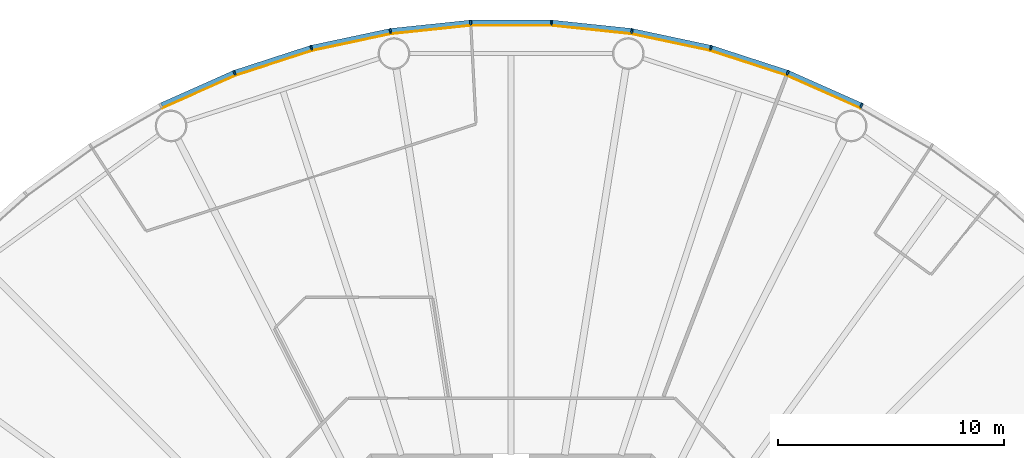
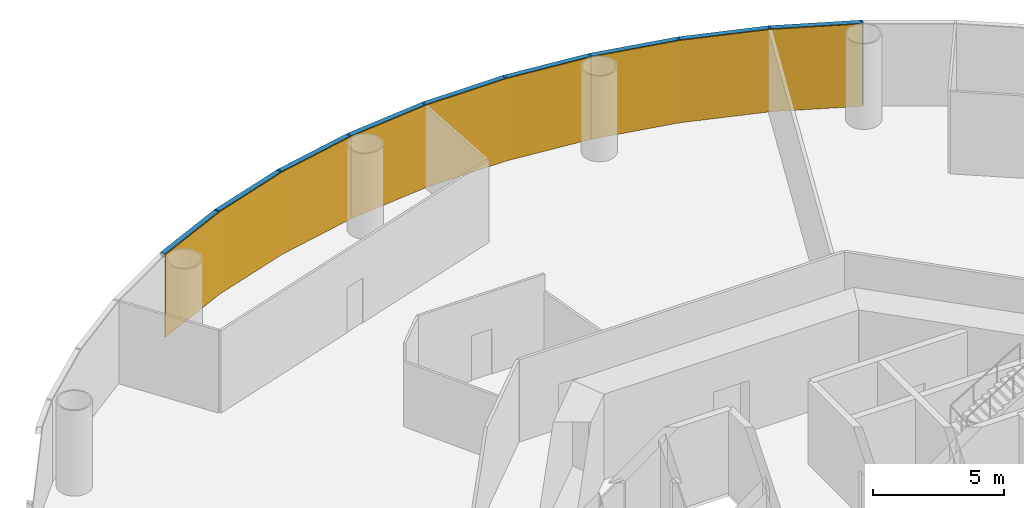
# One storey, part 12 of 13: 18 members, 3 curtain walls.
"""IFC4 building model written with IfcOpenShell, lengths in metres."""

from ifc_helpers import new_model, si_unit, direction, frame, origin, origin_2d, place, context, subcontext, project, spatial, polyline, rectangle, outline, extrude, material, layer, layer_set, material_profile, profile_set, type_object, element, aggregate, save


model = new_model("IFC4")

# Units and contexts
model_context = context("Model", 3, precision=1e-05, world=origin(), true_north=direction((0.0, 1.0)))
body_context = subcontext(model_context, "Body", "Model", "MODEL_VIEW")
ifc_project = project(units=[si_unit("LENGTHUNIT", "METRE"), si_unit("AREAUNIT", "SQUARE_METRE"), si_unit("VOLUMEUNIT", "CUBIC_METRE"), si_unit("PLANEANGLEUNIT", "RADIAN"), si_unit("MASSUNIT", "GRAM", prefix="KILO")], contexts=[model_context])

# Member
ifc_material_1 = material(Name="Anodised aluminium", Category="aluminium")
ifc_material_profile_1 = material_profile(ifc_material_1, rectangle(XDim=0.074951171875, YDim=0.219970703125, at=origin_2d()), Name="Mullion 75 x 220 mm anodised aluminium")
ifc_profile_set_1 = profile_set([ifc_material_profile_1], Name="Anodised aluminium")
member_type_1 = type_object("IfcMemberType", Name="Mullion 75 x 220 mm anodised aluminium", PredefinedType="MULLION", material=ifc_profile_set_1)
site_placement = place(None, origin())
building_placement = place(site_placement, origin())
storey_placement = place(building_placement, frame((0.0, 0.0, 26.0)))
member_1_placement = place(storey_placement, frame((105.485595703125, 110.392333984375, 0.0), z_axis=(0.0, 0.0, 1.0), x_axis=(-0.891006524188, 0.45399049974, 0.0)))
member_1 = element("IfcMember", 1, at=member_1_placement, type_object=member_type_1, Name="MULLION L04-09", PredefinedType="MULLION", context=body_context, shape_type="SweptSolid", body=[
    extrude(rectangle(XDim=0.074951171875, YDim=0.219970703125, at=origin_2d()), origin(), (0.0, 0.0, 1.0), 3.85009765625),
])

member_2_placement = place(storey_placement, frame((102.223876953125, 111.844482421875, 0.0), z_axis=(0.0, 0.0, 1.0), x_axis=(-0.933580426497, 0.358367949545, 0.0)))
member_2 = element("IfcMember", 2, at=member_2_placement, type_object=member_type_1, Name="MULLION L04-10", PredefinedType="MULLION", context=body_context, shape_type="SweptSolid", body=[
    extrude(rectangle(XDim=0.074951171875, YDim=0.219970703125, at=origin_2d()), origin(), (0.0, 0.0, 1.0), 3.85009765625),
])

member_3_placement = place(storey_placement, frame((98.828369140625, 112.94775390625, 0.0), z_axis=(0.0, 0.0, 1.0), x_axis=(-0.965925826289, 0.258819045103, 0.0)))
member_3 = element("IfcMember", 3, at=member_3_placement, type_object=member_type_1, Name="MULLION L04-11", PredefinedType="MULLION", context=body_context, shape_type="SweptSolid", body=[
    extrude(rectangle(XDim=0.074951171875, YDim=0.219970703125, at=origin_2d()), origin(), (0.0, 0.0, 1.0), 3.85009765625),
])

member_4_placement = place(storey_placement, frame((95.3359375, 113.68994140625, 0.0), z_axis=(0.0, 0.0, 1.0), x_axis=(-0.987688340595, 0.15643446504, 0.0)))
member_4 = element("IfcMember", 4, at=member_4_placement, type_object=member_type_1, Name="MULLION L04-12", PredefinedType="MULLION", context=body_context, shape_type="SweptSolid", body=[
    extrude(rectangle(XDim=0.074951171875, YDim=0.219970703125, at=origin_2d()), origin(), (0.0, 0.0, 1.0), 3.85009765625),
])

member_5_placement = place(storey_placement, frame((91.78515625, 114.063232421875, 0.0), z_axis=(0.0, 0.0, 1.0), x_axis=(-0.998629534755, 0.052335956243, 0.0)))
member_5 = element("IfcMember", 5, at=member_5_placement, type_object=member_type_1, Name="MULLION L04-13", PredefinedType="MULLION", context=body_context, shape_type="SweptSolid", body=[
    extrude(rectangle(XDim=0.074951171875, YDim=0.219970703125, at=origin_2d()), origin(), (0.0, 0.0, 1.0), 3.85009765625),
])

member_6_placement = place(storey_placement, frame((88.21484375, 114.063232421875, 0.0), z_axis=(0.0, 0.0, 1.0), x_axis=(-0.998629534755, -0.052335956243, 0.0)))
member_6 = element("IfcMember", 6, at=member_6_placement, type_object=member_type_1, Name="MULLION L04-14", PredefinedType="MULLION", context=body_context, shape_type="SweptSolid", body=[
    extrude(rectangle(XDim=0.074951171875, YDim=0.219970703125, at=origin_2d()), origin(), (0.0, 0.0, 1.0), 3.85009765625),
])

member_7_placement = place(storey_placement, frame((84.6640625, 113.68994140625, 0.0), z_axis=(0.0, 0.0, 1.0), x_axis=(-0.987688340595, -0.15643446504, 0.0)))
member_7 = element("IfcMember", 7, at=member_7_placement, type_object=member_type_1, Name="MULLION L04-15", PredefinedType="MULLION", context=body_context, shape_type="SweptSolid", body=[
    extrude(rectangle(XDim=0.074951171875, YDim=0.219970703125, at=origin_2d()), origin(), (0.0, 0.0, 1.0), 3.85009765625),
])

member_8_placement = place(storey_placement, frame((81.171630859375, 112.94775390625, 0.0), z_axis=(0.0, 0.0, 1.0), x_axis=(-0.965925826289, -0.258819045103, 0.0)))
member_8 = element("IfcMember", 8, at=member_8_placement, type_object=member_type_1, Name="MULLION L04-16", PredefinedType="MULLION", context=body_context, shape_type="SweptSolid", body=[
    extrude(rectangle(XDim=0.074951171875, YDim=0.219970703125, at=origin_2d()), origin(), (0.0, 0.0, 1.0), 3.85009765625),
])

member_9_placement = place(storey_placement, frame((77.776123046875, 111.844482421875, 0.0), z_axis=(0.0, 0.0, 1.0), x_axis=(-0.933580426497, -0.358367949545, 0.0)))
member_9 = element("IfcMember", 9, at=member_9_placement, type_object=member_type_1, Name="MULLION L04-17", PredefinedType="MULLION", context=body_context, shape_type="SweptSolid", body=[
    extrude(rectangle(XDim=0.074951171875, YDim=0.219970703125, at=origin_2d()), origin(), (0.0, 0.0, 1.0), 3.85009765625),
])

ifc_material_2 = material(Name="Anodised aluminium", Category="aluminium")
ifc_material_profile_2 = material_profile(ifc_material_2, rectangle(XDim=0.219970703125, YDim=0.199951171875, at=origin_2d()), Name="Transom 200 x 220 mm anodised aluminium")
ifc_profile_set_2 = profile_set([ifc_material_profile_2], Name="Anodised aluminium")
member_type_2 = type_object("IfcMemberType", Name="Transom 200 x 220 mm anodised aluminium", PredefinedType="USERDEFINED", material=ifc_profile_set_2)
member_10_placement = place(storey_placement, frame((105.446044921875, 110.409912109375, 3.75), z_axis=(-0.913545487371, 0.406736576304, 0.0), x_axis=(-0.406736576304, -0.913545487371, 0.0)))
member_10 = element("IfcMember", 10, at=member_10_placement, type_object=member_type_2, Name="TRANSOM L04-09", ObjectType="TRANSOM", PredefinedType="USERDEFINED", context=body_context, shape_type="SweptSolid", body=[
    extrude(rectangle(XDim=0.219970703125, YDim=0.199951171875, at=origin_2d()), origin(), (0.0, 0.0, 1.0), 3.48388671875),
])

member_11_placement = place(storey_placement, frame((102.182861328125, 111.85791015625, 3.75), z_axis=(-0.951052605696, 0.309029029702, 0.0), x_axis=(-0.309029029702, -0.951052605696, 0.0)))
member_11 = element("IfcMember", 11, at=member_11_placement, type_object=member_type_2, Name="TRANSOM L04-10", ObjectType="TRANSOM", PredefinedType="USERDEFINED", context=body_context, shape_type="SweptSolid", body=[
    extrude(rectangle(XDim=0.219970703125, YDim=0.199951171875, at=origin_2d()), origin(), (0.0, 0.0, 1.0), 3.484130859375),
])

member_12_placement = place(storey_placement, frame((98.7861328125, 112.956787109375, 3.75), z_axis=(-0.978145669426, 0.207920776701, 0.0), x_axis=(-0.207920776701, -0.978145669426, 0.0)))
member_12 = element("IfcMember", 12, at=member_12_placement, type_object=member_type_2, Name="TRANSOM L04-11", ObjectType="TRANSOM", PredefinedType="USERDEFINED", context=body_context, shape_type="SweptSolid", body=[
    extrude(rectangle(XDim=0.219970703125, YDim=0.199951171875, at=origin_2d()), origin(), (0.0, 0.0, 1.0), 3.48388671875),
])

member_13_placement = place(storey_placement, frame((95.29296875, 113.69482421875, 3.75), z_axis=(-0.994526551648, 0.104484152234, 0.0), x_axis=(-0.104484152234, -0.994526551648, 0.0)))
member_13 = element("IfcMember", 13, at=member_13_placement, type_object=member_type_2, Name="TRANSOM L04-12", ObjectType="TRANSOM", PredefinedType="USERDEFINED", context=body_context, shape_type="SweptSolid", body=[
    extrude(rectangle(XDim=0.219970703125, YDim=0.199951171875, at=origin_2d()), origin(), (0.0, 0.0, 1.0), 3.48388671875),
])

member_14_placement = place(storey_placement, frame((91.741943359375, 114.0634765625, 3.75), z_axis=(-1.0, 0.0, 0.0), x_axis=(0.0, -1.0, 0.0)))
member_14 = element("IfcMember", 14, at=member_14_placement, type_object=member_type_2, Name="TRANSOM L04-13", ObjectType="TRANSOM", PredefinedType="USERDEFINED", context=body_context, shape_type="SweptSolid", body=[
    extrude(rectangle(XDim=0.219970703125, YDim=0.199951171875, at=origin_2d()), origin(), (0.0, 0.0, 1.0), 3.48388671875),
])

member_15_placement = place(storey_placement, frame((88.171875, 114.058837890625, 3.75), z_axis=(-0.994526551648, -0.104484152234, 0.0), x_axis=(0.104484152234, -0.994526551648, 0.0)))
member_15 = element("IfcMember", 15, at=member_15_placement, type_object=member_type_2, Name="TRANSOM L04-14", ObjectType="TRANSOM", PredefinedType="USERDEFINED", context=body_context, shape_type="SweptSolid", body=[
    extrude(rectangle(XDim=0.219970703125, YDim=0.199951171875, at=origin_2d()), origin(), (0.0, 0.0, 1.0), 3.48388671875),
])

member_16_placement = place(storey_placement, frame((84.62158203125, 113.68115234375, 3.75), z_axis=(-0.978145669426, -0.207920776701, 0.0), x_axis=(0.207920776701, -0.978145669426, 0.0)))
member_16 = element("IfcMember", 16, at=member_16_placement, type_object=member_type_2, Name="TRANSOM L04-15", ObjectType="TRANSOM", PredefinedType="USERDEFINED", context=body_context, shape_type="SweptSolid", body=[
    extrude(rectangle(XDim=0.219970703125, YDim=0.199951171875, at=origin_2d()), origin(), (0.0, 0.0, 1.0), 3.48388671875),
])

member_17_placement = place(storey_placement, frame((81.130615234375, 112.9345703125, 3.75), z_axis=(-0.951052605696, -0.309029029702, 0.0), x_axis=(0.309029029702, -0.951052605696, 0.0)))
member_17 = element("IfcMember", 17, at=member_17_placement, type_object=member_type_2, Name="TRANSOM L04-16", ObjectType="TRANSOM", PredefinedType="USERDEFINED", context=body_context, shape_type="SweptSolid", body=[
    extrude(rectangle(XDim=0.219970703125, YDim=0.199951171875, at=origin_2d()), origin(), (0.0, 0.0, 1.0), 3.484130859375),
])

member_18_placement = place(storey_placement, frame((77.736572265625, 111.826904296875, 3.75), z_axis=(-0.913545487371, -0.406736576304, 0.0), x_axis=(0.406736576304, -0.913545487371, 0.0)))
member_18 = element("IfcMember", 18, at=member_18_placement, type_object=member_type_2, Name="TRANSOM L04-17", ObjectType="TRANSOM", PredefinedType="USERDEFINED", context=body_context, shape_type="SweptSolid", body=[
    extrude(rectangle(XDim=0.219970703125, YDim=0.199951171875, at=origin_2d()), origin(), (0.0, 0.0, 1.0), 3.48388671875),
])

# Site, building, storey
site = spatial("IfcSite", under=ifc_project, at=site_placement, CompositionType="ELEMENT")
building = spatial("IfcBuilding", under=site, at=building_placement, Name="Entoto Ring Tower", CompositionType="ELEMENT")
storey = spatial("IfcBuildingStorey", under=building, at=storey_placement, Name="L04", CompositionType="ELEMENT", Elevation=26.0)

# Curtain wall
ifc_material_3 = material(Name="Clear low-iron glass", Category="glass")
ifc_layer = layer(ifc_material_3, 0.0400390625)
ifc_layer_set = layer_set([ifc_layer], Name="Clear low-iron glass")
curtain_wall_type = type_object("IfcCurtainWallType", Name="Curtain wall system CW1 glazing 40 mm", PredefinedType="NOTDEFINED", material=ifc_layer_set)
curtain_wall_1_placement = place(storey_placement, origin())
curtain_wall_1 = element("IfcCurtainWall", 19, at=curtain_wall_1_placement, inside=storey, type_object=curtain_wall_type, Name="CW1 L04-04", PredefinedType="NOTDEFINED", context=body_context, shape_type="SweptSolid", body=[
    extrude(outline(polyline([(105.435791015625, 110.294189453125), (102.1845703125, 111.74169921875), (98.7998046875, 112.841552734375), (95.31884765625, 113.581298828125), (95.3125, 113.541748046875), (98.78955078125, 112.802734375), (102.170166015625, 111.704345703125), (105.41748046875, 110.258544921875), (105.435791015625, 110.294189453125)])), origin(), (0.0, 0.0, 1.0), 3.85009765625),
])

aggregate(curtain_wall_1, [member_1, member_2, member_3, member_10, member_11, member_12])

curtain_wall_2_placement = place(storey_placement, origin())
curtain_wall_2 = element("IfcCurtainWall", 20, at=curtain_wall_2_placement, inside=storey, type_object=curtain_wall_type, Name="CW1 L04-05", PredefinedType="NOTDEFINED", context=body_context, shape_type="SweptSolid", body=[
    extrude(outline(polyline([(95.31884765625, 113.581298828125), (91.779541015625, 113.953369140625), (88.220458984375, 113.953369140625), (84.68115234375, 113.581298828125), (84.6875, 113.541748046875), (88.22265625, 113.913330078125), (91.77734375, 113.913330078125), (95.3125, 113.541748046875), (95.31884765625, 113.581298828125)])), origin(), (0.0, 0.0, 1.0), 3.85009765625),
])

aggregate(curtain_wall_2, [member_4, member_5, member_6, member_13, member_14, member_15])

curtain_wall_3_placement = place(storey_placement, origin())
curtain_wall_3 = element("IfcCurtainWall", 21, at=curtain_wall_3_placement, inside=storey, type_object=curtain_wall_type, Name="CW1 L04-06", PredefinedType="NOTDEFINED", context=body_context, shape_type="SweptSolid", body=[
    extrude(outline(polyline([(84.68115234375, 113.581298828125), (81.2001953125, 112.841552734375), (77.8154296875, 111.74169921875), (74.564208984375, 110.294189453125), (74.58251953125, 110.258544921875), (77.829833984375, 111.704345703125), (81.21044921875, 112.802734375), (84.6875, 113.541748046875), (84.68115234375, 113.581298828125)])), origin(), (0.0, 0.0, 1.0), 3.85009765625),
])

aggregate(curtain_wall_3, [member_7, member_8, member_9, member_16, member_17, member_18])

save(model, "model.ifc")
